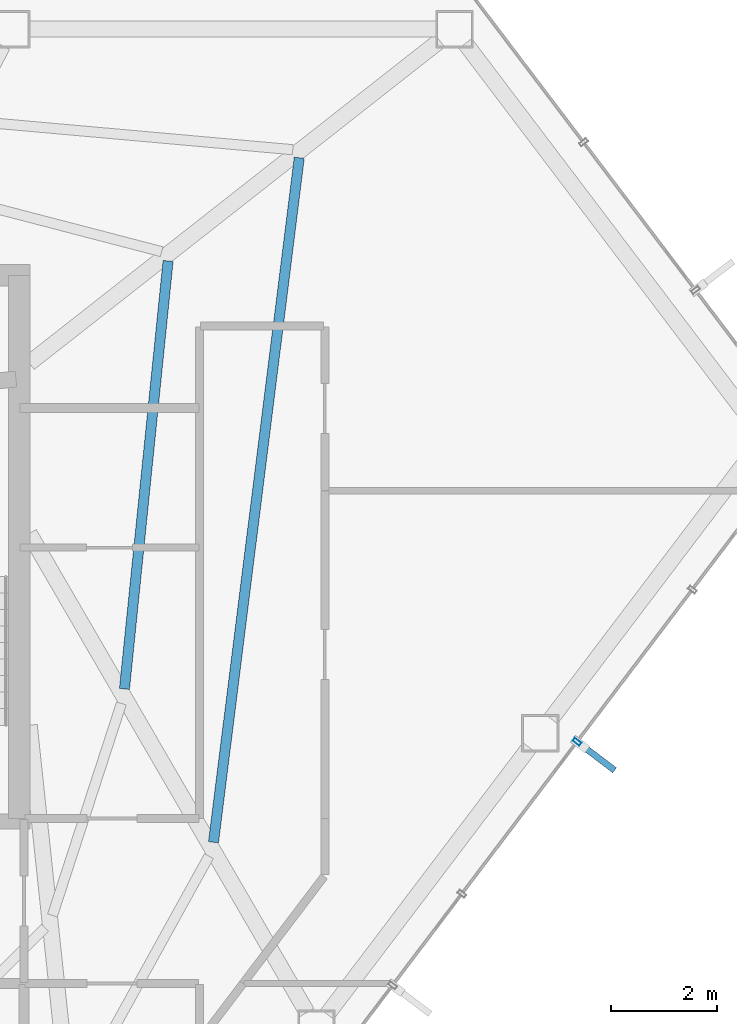
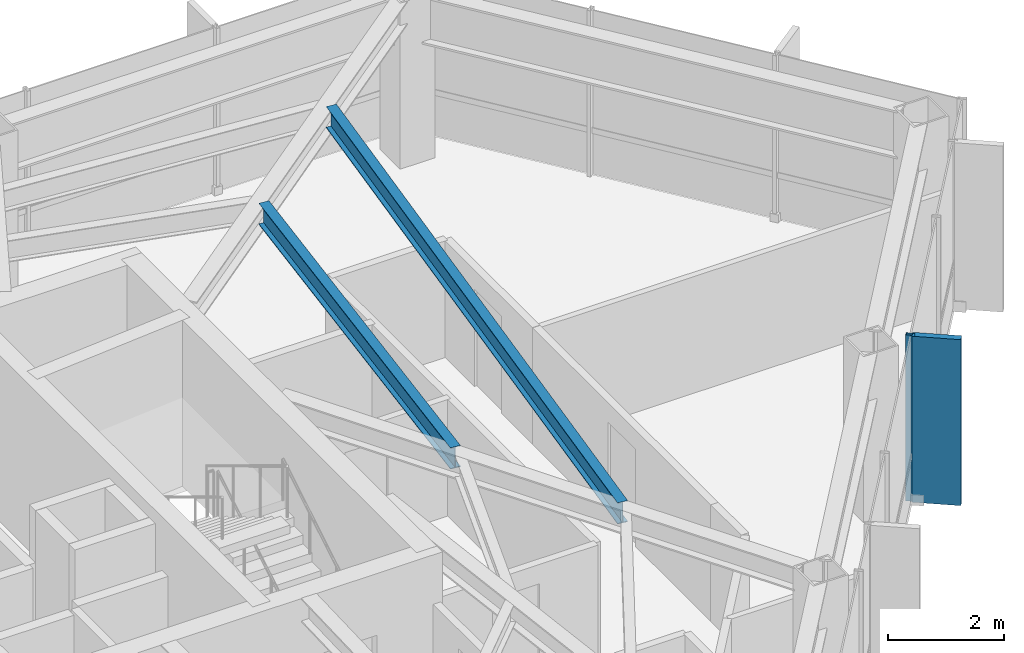
# One storey, part 19 of 27: 2 beams, 2 members, 1 element without a shape of its own.
"""IFC4 building model written with IfcOpenShell, lengths in metres."""

import ifcopenshell
import ifcopenshell.guid

model = None  # the IFC model being written
_history = None  # IfcOwnerHistory: only IFC2X3 demands one
_inside = {}  # id of a spatial element -> (the spatial element, [elements in it])
_under = {}  # id of a project, library or spatial element -> (it, [spatial elements below it])
_declared = {}  # id of a project -> (the project, [libraries it declares])
_typed = {}  # id of a type object -> (the type object, [elements of that type])
_made_of = {}  # id of a material, layer set ... -> (it, [elements and type objects made of it])


def new_model(schema):
    """Start an empty IFC model of exactly this schema.

    Asked for "IFC4X3", IfcOpenShell would pick the latest addendum, in which some entities
    have other attributes; the version numbers below select the first issue.
    IFC2X3 requires an IfcOwnerHistory on every rooted entity: one is made here for all.
    """
    global model, _history
    if schema == "IFC4X3":
        model = ifcopenshell.file(schema_version=(4, 3, 0, 0))
    else:
        model = ifcopenshell.file(schema=schema)
    _inside.clear()
    _under.clear()
    _declared.clear()
    _typed.clear()
    _made_of.clear()
    _history = None
    if model.schema == "IFC2X3":
        org = make("IfcOrganization", Name="unknown")
        user = make(
            "IfcPersonAndOrganization",
            ThePerson=make("IfcPerson", FamilyName="unknown"),
            TheOrganization=org,
        )
        app = make(
            "IfcApplication",
            ApplicationDeveloper=org,
            Version="unknown",
            ApplicationFullName="unknown",
            ApplicationIdentifier="unknown",
        )
        _history = make(
            "IfcOwnerHistory",
            OwningUser=user,
            OwningApplication=app,
            ChangeAction="ADDED",
            CreationDate=0,
        )
    return model


def make(cls, **values):
    """One entity of the class cls with the attributes given. An attribute that is None is left unset."""
    return model.create_entity(
        cls, **{name: value for name, value in values.items() if value is not None}
    )


def rooted(cls, **values):
    """An entity with a GlobalId (a new one), such as an element, a storey or a relation."""
    return make(cls, GlobalId=ifcopenshell.guid.new(), OwnerHistory=_history, **values)


def si_unit(unit_type, name, prefix=None):
    """IfcSIUnit, for example si_unit("LENGTHUNIT", "METRE", prefix="MILLI")."""
    return make("IfcSIUnit", UnitType=unit_type, Prefix=prefix, Name=name)


def assignment(units):
    """IfcUnitAssignment: the units of a project."""
    return None if units is None else make("IfcUnitAssignment", Units=units)


def point(xyz):
    """IfcCartesianPoint."""
    return None if xyz is None else make("IfcCartesianPoint", Coordinates=xyz)


def direction(xyz):
    """IfcDirection."""
    return None if xyz is None else make("IfcDirection", DirectionRatios=xyz)


def frame(location, z_axis=None, x_axis=None):
    """IfcAxis2Placement3D, a coordinate frame: its origin and axes. An axis left out is left unset."""
    return make(
        "IfcAxis2Placement3D",
        Location=point(location),
        Axis=direction(z_axis),
        RefDirection=direction(x_axis),
    )


def frame_2d(location, x_axis=None):
    """IfcAxis2Placement2D, a coordinate frame in the plane: its origin and x axis."""
    return make(
        "IfcAxis2Placement2D", Location=point(location), RefDirection=direction(x_axis)
    )


def origin():
    """The frame at (0, 0, 0) with its axes left unset."""
    return frame((0.0, 0.0, 0.0))


def origin_2d():
    """The frame at (0, 0) in the plane with its x axis left unset."""
    return frame_2d((0.0, 0.0))


def place(relative_to, where):
    """IfcLocalPlacement: puts the frame where relative to a parent placement (None: the world)."""
    return make(
        "IfcLocalPlacement", PlacementRelTo=relative_to, RelativePlacement=where
    )


def context(
    kind, dimensions, precision=None, world=None, true_north=None, identifier=None
):
    """IfcGeometricRepresentationContext, for example the 3D "Model" context."""
    return make(
        "IfcGeometricRepresentationContext",
        ContextIdentifier=identifier,
        ContextType=kind,
        CoordinateSpaceDimension=dimensions,
        Precision=precision,
        WorldCoordinateSystem=world,
        TrueNorth=true_north,
    )


def subcontext(parent, identifier, kind, view, scale=None):
    """IfcGeometricRepresentationSubContext, for example "Body" below "Model"."""
    return make(
        "IfcGeometricRepresentationSubContext",
        ContextIdentifier=identifier,
        ContextType=kind,
        ParentContext=parent,
        TargetScale=scale,
        TargetView=view,
    )


def project(units=None, contexts=None):
    """IfcProject with its units and contexts."""
    return rooted(
        "IfcProject",
        Name="project",
        RepresentationContexts=contexts,
        UnitsInContext=assignment(units),
    )


def spatial(cls, under=None, at=None, **own):
    """A site, building, storey or space (cls), placed at a placement, below another one or the project."""
    s = rooted(cls, ObjectPlacement=at, **own)
    if under is not None:
        _under.setdefault(under.id(), (under, []))[1].append(s)
    return s


def profile(cls, at=None, kind="AREA", **sizes):
    """A parametric profile (cls). Its sizes go by their IFC names, for example OverallWidth=200.0."""
    return make(cls, ProfileType=kind, Position=at, **sizes)


def rectangle(**sizes):
    """IfcRectangleProfileDef."""
    return profile("IfcRectangleProfileDef", **sizes)


def hollow_rectangle(**sizes):
    """IfcRectangleHollowProfileDef."""
    return profile("IfcRectangleHollowProfileDef", **sizes)


def i_section(**sizes):
    """IfcIShapeProfileDef."""
    return profile("IfcIShapeProfileDef", **sizes)


def extrude(swept, where, along, depth):
    """IfcExtrudedAreaSolid: the profile swept, set in the frame where, extruded along a direction by depth."""
    return make(
        "IfcExtrudedAreaSolid",
        SweptArea=swept,
        Position=where,
        ExtrudedDirection=direction(along),
        Depth=depth,
    )


def shape(context_of_items, identifier, shape_type, items):
    """IfcShapeRepresentation: the items that make up one representation, for example the "Body"."""
    return make(
        "IfcShapeRepresentation",
        ContextOfItems=context_of_items,
        RepresentationIdentifier=identifier,
        RepresentationType=shape_type,
        Items=items,
    )


def material(Name=None, Category=None):
    """IfcMaterial."""
    return make("IfcMaterial", Name=Name, Category=Category)


def layer(
    of_material, thickness, ventilated=None, Name=None, Category=None, Priority=None
):
    """IfcMaterialLayer: one layer of a wall or slab, of a material (None: an air gap)."""
    return make(
        "IfcMaterialLayer",
        Material=of_material,
        LayerThickness=thickness,
        IsVentilated=ventilated,
        Name=Name,
        Category=Category,
        Priority=Priority,
    )


def layer_set(layers, Name=None):
    """IfcMaterialLayerSet."""
    return make("IfcMaterialLayerSet", MaterialLayers=layers, LayerSetName=Name)


def material_profile(
    of_material, cross_section, Name=None, Category=None, Priority=None
):
    """IfcMaterialProfile: a cross section and its material."""
    return make(
        "IfcMaterialProfile",
        Name=Name,
        Material=of_material,
        Profile=cross_section,
        Priority=Priority,
        Category=Category,
    )


def profile_set(profiles, Name=None, composite=None):
    """IfcMaterialProfileSet."""
    return make(
        "IfcMaterialProfileSet",
        Name=Name,
        MaterialProfiles=profiles,
        CompositeProfile=composite,
    )


def made_of(thing, what):
    """Note that an element or type object is made of a material, layer set ...; save() writes the relation."""
    if what is not None:
        _made_of.setdefault(what.id(), (what, []))[1].append(thing)
    return thing


def type_object(cls, material=None, **own):
    """A type object (cls), such as IfcWallType, which elements share."""
    return made_of(rooted(cls, **own), material)


def element(
    cls,
    number,
    at=None,
    inside=None,
    cuts=None,
    type_object=None,
    material=None,
    context=None,
    identifier="Body",
    shape_type=None,
    held_by="IfcProductDefinitionShape",
    body=None,
    shapes=None,
    **own,
):
    """One element of the class cls, such as IfcWall. Its Tag is "e" and its number.

    at: its placement. inside: the storey or other place that contains it. cuts: it is an
    opening in that element (IfcRelVoidsElement). A single representation is given by context,
    identifier, shape_type and body (its items); several are given by shapes. held_by: the class
    of the entity that holds the representations. save() writes the other relations.
    """
    e = rooted(cls, Tag="e%d" % number, ObjectPlacement=at, **own)
    if body is not None:
        shapes = [shape(context, identifier, shape_type, body)]
    if shapes is not None:
        e.Representation = make(held_by, Representations=shapes)
    if inside is not None:
        _inside.setdefault(inside.id(), (inside, []))[1].append(e)
    if cuts is not None:
        rooted(
            "IfcRelVoidsElement", RelatingBuildingElement=cuts, RelatedOpeningElement=e
        )
    if type_object is not None:
        _typed.setdefault(type_object.id(), (type_object, []))[1].append(e)
    return made_of(e, material)


def aggregate(whole, parts):
    """IfcRelAggregates: a whole, such as a stair, and the parts it consists of."""
    return rooted("IfcRelAggregates", RelatingObject=whole, RelatedObjects=parts)


def save(model, path):
    """Write the relations noted so far, then the file.

    IfcRelAggregates (storeys below a building ...), IfcRelContainedInSpatialStructure (elements
    in a storey), IfcRelDefinesByType, IfcRelAssociatesMaterial and IfcRelDeclares: one each for
    every whole, place, type object, material and project.
    """
    for whole, parts in _under.values():
        aggregate(whole, parts)
    for where, things in _inside.values():
        rooted(
            "IfcRelContainedInSpatialStructure",
            RelatedElements=things,
            RelatingStructure=where,
        )
    for kind, things in _typed.values():
        rooted("IfcRelDefinesByType", RelatedObjects=things, RelatingType=kind)
    for what, things in _made_of.values():
        rooted("IfcRelAssociatesMaterial", RelatedObjects=things, RelatingMaterial=what)
    for by, libraries in _declared.values():
        rooted("IfcRelDeclares", RelatingContext=by, RelatedDefinitions=libraries)
    model.write(path)


model = new_model("IFC4")

# Units and contexts
model_context = context("Model", 3, precision=1e-05, world=origin(), true_north=direction((0.0, 1.0)))
body_context = subcontext(model_context, "Body", "Model", "MODEL_VIEW")
ifc_project = project(units=[si_unit("LENGTHUNIT", "METRE"), si_unit("AREAUNIT", "SQUARE_METRE"), si_unit("VOLUMEUNIT", "CUBIC_METRE"), si_unit("PLANEANGLEUNIT", "RADIAN"), si_unit("MASSUNIT", "GRAM", prefix="KILO")], contexts=[model_context])

# Site, building, storey
site_placement = place(None, origin())
site = spatial("IfcSite", under=ifc_project, at=site_placement, CompositionType="ELEMENT")
building_placement = place(site_placement, origin())
building = spatial("IfcBuilding", under=site, at=building_placement, Name="Zarrinselat Tower", CompositionType="ELEMENT")
storey_placement = place(building_placement, frame((0.0, 0.0, 179.52001953125)))
storey = spatial("IfcBuildingStorey", under=building, at=storey_placement, Name="L44", CompositionType="ELEMENT", Elevation=179.52001953125)

# Beams
ifc_material_1 = material(Name="Steel S355J2", Category="steel")
ifc_material_profile_1 = material_profile(ifc_material_1, i_section(OverallWidth=0.18994140625, OverallDepth=0.449951171875, WebThickness=0.009521484375, FlangeThickness=0.0146484375, at=origin_2d()), Name="IPE 450")
ifc_profile_set_1 = profile_set([ifc_material_profile_1], Name="Steel S355J2")
beam_type = type_object("IfcBeamType", Name="BM-IPE450", PredefinedType="JOIST", material=ifc_profile_set_1)
beam_1_placement = place(storey_placement, frame((51.90966796875, 32.80322265625, 3.27490234375), z_axis=(0.124345541619, 0.992238976396, 0.0), x_axis=(-0.992238976396, 0.124345541619, 0.0)))
element("IfcBeam", 1, at=beam_1_placement, inside=storey, type_object=beam_type, Name="L44 Composite Floor Joist 5-1", PredefinedType="JOIST", context=body_context, shape_type="SweptSolid", body=[
    extrude(i_section(OverallWidth=0.18994140625, OverallDepth=0.449951171875, WebThickness=0.009521484375, FlangeThickness=0.0146484375, at=origin_2d()), origin(), (0.0, 0.0, 1.0), 12.95458984375),
])
beam_2_placement = place(storey_placement, frame((50.237548828125, 35.681640625, 3.27490234375), z_axis=(0.101409321868, 0.994844786607, 0.0), x_axis=(-0.994844786607, 0.101409321868, 0.0)))
element("IfcBeam", 2, at=beam_2_placement, inside=storey, type_object=beam_type, Name="L44 Composite Floor Joist 5-2", PredefinedType="JOIST", context=body_context, shape_type="SweptSolid", body=[
    extrude(i_section(OverallWidth=0.18994140625, OverallDepth=0.449951171875, WebThickness=0.009521484375, FlangeThickness=0.0146484375, at=origin_2d()), origin(), (0.0, 0.0, 1.0), 8.07958984375),
])

# Curtain wall, members
ifc_material_2 = material(Name="Extruded Aluminium Alloy EN AW-6063 T6", Category="aluminium")
ifc_layer = layer(ifc_material_2, 0.175048828125)
ifc_layer_set = layer_set([ifc_layer], Name="Extruded Aluminium Alloy EN AW-6063 T6")
curtain_wall_type = type_object("IfcCurtainWallType", Name="CWS-HTL", PredefinedType="NOTDEFINED", material=ifc_layer_set)
curtain_wall_placement = place(storey_placement, origin())
curtain_wall = element("IfcCurtainWall", 3, at=curtain_wall_placement, inside=storey, type_object=curtain_wall_type, Name="L44 Unitised Curtain Wall CW-L44-E05", PredefinedType="NOTDEFINED")
ifc_material_3 = material(Name="Extruded Aluminium Alloy EN AW-6063 T6", Category="aluminium")
ifc_material_profile_2 = material_profile(ifc_material_3, hollow_rectangle(XDim=0.070068359375, YDim=0.159912109375, WallThickness=0.00390625, at=origin_2d()), Name="RHS 160x70x4")
ifc_profile_set_2 = profile_set([ifc_material_profile_2], Name="Extruded Aluminium Alloy EN AW-6063 T6")
member_type_1 = type_object("IfcMemberType", Name="MEM-CW-MUL2", PredefinedType="MULLION", material=ifc_profile_set_2)
member_1_placement = place(storey_placement, frame((58.73779296875, 34.68798828125, 0.0), z_axis=(0.0, 0.0, 1.0), x_axis=(0.603859165965, 0.797091028478, 0.0)))
member_1 = element("IfcMember", 4, at=member_1_placement, type_object=member_type_1, Name="CW-L44-E05 Mullion 7", PredefinedType="MULLION", context=body_context, shape_type="SweptSolid", body=[
    extrude(hollow_rectangle(XDim=0.070068359375, YDim=0.159912109375, WallThickness=0.00390625, at=origin_2d()), origin(), (0.0, 0.0, 1.0), 3.5),
])
ifc_material_4 = material(Name="Honed Cream Travertine Stone", Category="masonry")
ifc_material_profile_3 = material_profile(ifc_material_4, rectangle(XDim=0.1201171875, YDim=0.85009765625, at=origin_2d()), Name="FIN 850x120")
ifc_profile_set_3 = profile_set([ifc_material_profile_3], Name="Honed Cream Travertine Stone")
member_type_2 = type_object("IfcMemberType", Name="MEM-STONE-FIN", PredefinedType="USERDEFINED", material=ifc_profile_set_3)
member_2_placement = place(storey_placement, frame((59.1044921875, 34.410400390625, 0.0), z_axis=(0.0, 0.0, 1.0), x_axis=(-0.603859165965, -0.797091028478, 0.0)))
member_2 = element("IfcMember", 5, at=member_2_placement, type_object=member_type_2, Name="L44 Stone Shading Fin CW-L44-E05-07", ObjectType="FIN", PredefinedType="USERDEFINED", context=body_context, shape_type="SweptSolid", body=[
    extrude(rectangle(XDim=0.1201171875, YDim=0.85009765625, at=origin_2d()), origin(), (0.0, 0.0, 1.0), 3.5),
])
aggregate(curtain_wall, [member_1, member_2])

save(model, "model.ifc")
